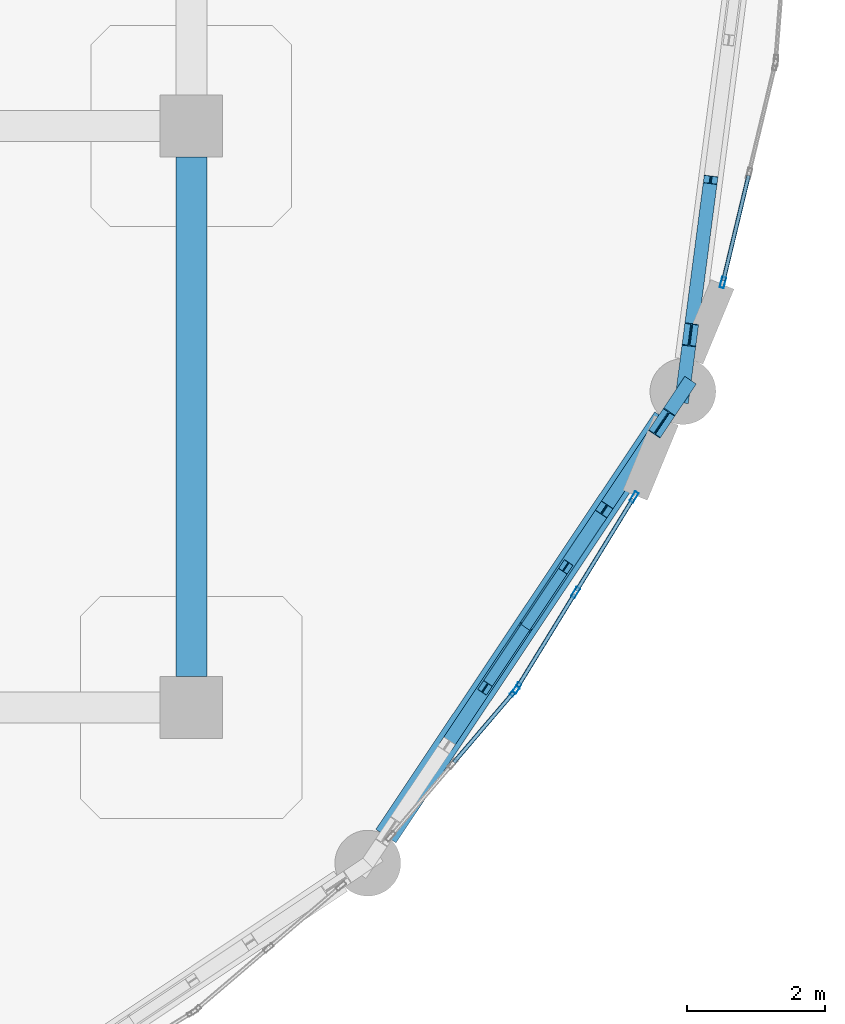
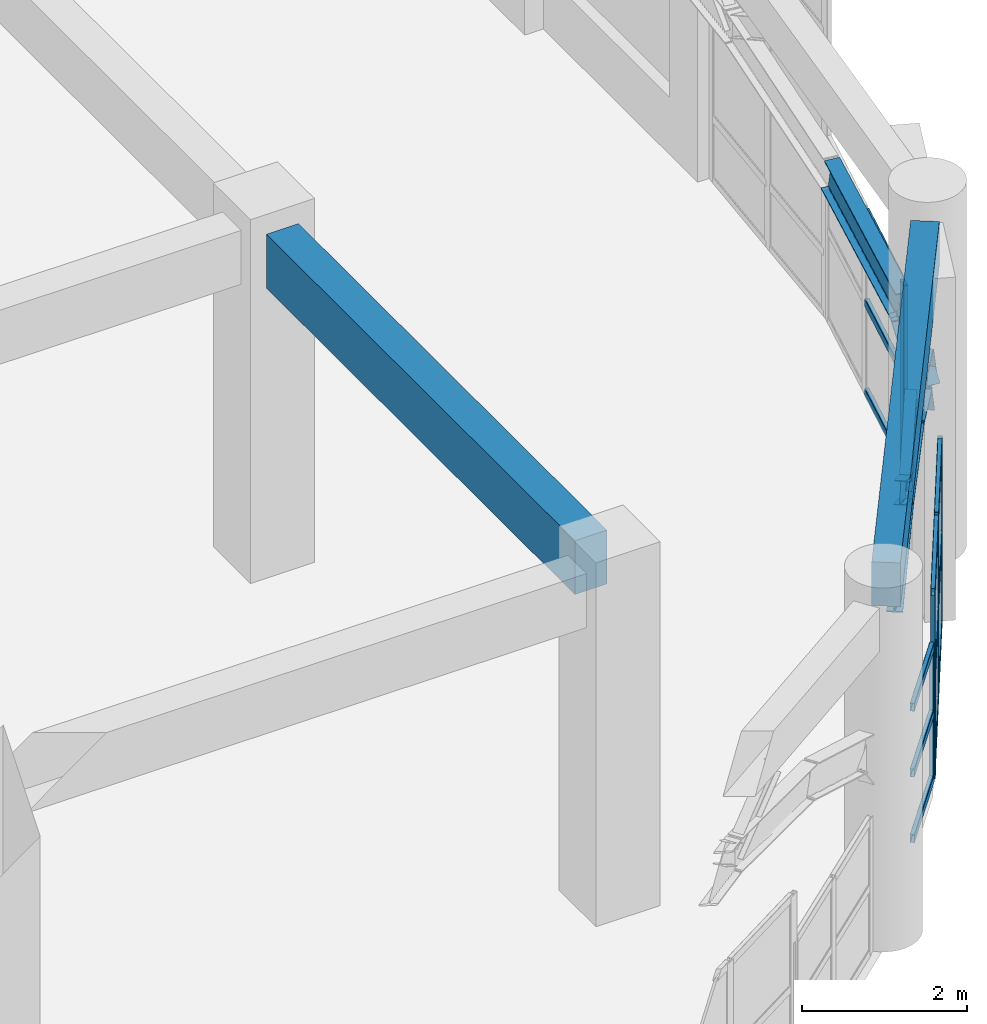
# One storey, part 57 of 114: 19 members, 8 beams, 3 elements without a shape of their own.
"""IFC4 building model written with IfcOpenShell, lengths in metres."""

from ifc_helpers import new_model, si_unit, derived_unit, direction, frame, origin, origin_2d, place, context, subcontext, project, spatial, rectangle, hollow_rectangle, i_section, extrude, material, layer, layer_set, material_profile, profile_set, type_object, element, aggregate, save


model = new_model("IFC4")

# Units and contexts
model_context = context("Model", 3, precision=1e-05, world=origin(), true_north=direction((0.0, 1.0)))
body_context = subcontext(model_context, "Body", "Model", "MODEL_VIEW")
ifc_project = project(units=[si_unit("LENGTHUNIT", "METRE"), si_unit("AREAUNIT", "SQUARE_METRE"), si_unit("VOLUMEUNIT", "CUBIC_METRE"), si_unit("PLANEANGLEUNIT", "RADIAN"), si_unit("MASSUNIT", "GRAM", prefix="KILO"), derived_unit("THERMALTRANSMITTANCEUNIT", [(si_unit("MASSUNIT", "GRAM", prefix="KILO"), 1), (si_unit("TIMEUNIT", "SECOND"), -3), (si_unit("THERMODYNAMICTEMPERATUREUNIT", "KELVIN"), -1)])], contexts=[model_context])

# Site, building, storey
site_placement = place(None, origin())
site = spatial("IfcSite", under=ifc_project, at=site_placement, CompositionType="ELEMENT")
building_placement = place(site_placement, origin())
building = spatial("IfcBuilding", under=site, at=building_placement, Name="Qinzheling Arcade Emporium", CompositionType="ELEMENT")
storey_placement = place(building_placement, frame((0.0, 0.0, 6.0)))
storey = spatial("IfcBuildingStorey", under=building, at=storey_placement, Name="L02", CompositionType="ELEMENT", Elevation=6.0)

# Beams
ifc_material_1 = material(Name="Weathering steel Q355NH", Category="steel")
ifc_material_profile_1 = material_profile(ifc_material_1, i_section(OverallWidth=0.199951171875, OverallDepth=0.5, WebThickness=0.010009765625, FlangeThickness=0.01611328125, FilletRadius=0.01806640625, at=origin_2d()), Name="HN 500x200x10x16", Category="steel")
ifc_profile_set_1 = profile_set([ifc_material_profile_1], Name="Weathering steel Q355NH")
beam_type_1 = type_object("IfcBeamType", Name="Arcade End Arch Rib HN500 Q355NH", PredefinedType="BEAM", material=ifc_profile_set_1)
beam_1_placement = place(storey_placement, frame((168.987060546875, 7.85400390625, 3.509033203125), z_axis=(0.552937624895, 0.82804218446, 0.092769196024), x_axis=(-0.831628465866, 0.555332418252, 0.0)))
element("IfcBeam", 1, at=beam_1_placement, inside=storey, type_object=beam_type_1, Name="Curved Arcade Entrance Arch ARC-L02-CV4-B03-C03", PredefinedType="BEAM", context=body_context, shape_type="SweptSolid", body=[
    extrude(i_section(OverallWidth=0.199951171875, OverallDepth=0.5, WebThickness=0.010009765625, FlangeThickness=0.01611328125, FilletRadius=0.01806640625, at=origin_2d()), origin(), (0.0, 0.0, 1.0), 2.05810546875),
])
beam_2_placement = place(storey_placement, frame((170.125, 9.55810546875, 3.699951171875), z_axis=(0.553209306391, 0.827855591521, -0.092814777429), x_axis=(-0.831444611991, 0.555607646808, 0.0)))
element("IfcBeam", 2, at=beam_2_placement, inside=storey, type_object=beam_type_1, Name="Curved Arcade Entrance Arch ARC-L02-CV4-B03-C04", PredefinedType="BEAM", context=body_context, shape_type="SweptSolid", body=[
    extrude(i_section(OverallWidth=0.199951171875, OverallDepth=0.5, WebThickness=0.010009765625, FlangeThickness=0.01611328125, FilletRadius=0.01806640625, at=origin_2d()), origin(), (0.0, 0.0, 1.0), 2.056884765625),
])
beam_3_placement = place(storey_placement, frame((171.262939453125, 11.260986328125, 3.509033203125), z_axis=(0.524691121578, 0.785498900651, -0.328162618244), x_axis=(-0.831549052106, 0.555451324547, 0.0)))
element("IfcBeam", 3, at=beam_3_placement, inside=storey, type_object=beam_type_1, Name="Curved Arcade Entrance Arch ARC-L02-CV4-B03-C05", PredefinedType="BEAM", context=body_context, shape_type="SweptSolid", body=[
    extrude(i_section(OverallWidth=0.199951171875, OverallDepth=0.5, WebThickness=0.010009765625, FlangeThickness=0.01611328125, FilletRadius=0.01806640625, at=origin_2d()), origin(), (0.0, 0.0, 1.0), 1.587646484375),
])
beam_4_placement = place(storey_placement, frame((172.095947265625, 12.508056640625, 2.988037109375), z_axis=(0.338911195409, 0.506874389931, -0.792601762841), x_axis=(-0.831296417556, 0.555829349854, 0.0)))
element("IfcBeam", 4, at=beam_4_placement, inside=storey, type_object=beam_type_1, Name="Curved Arcade Entrance Arch ARC-L02-CV4-B03-C06", PredefinedType="BEAM", context=body_context, shape_type="SweptSolid", body=[
    extrude(i_section(OverallWidth=0.199951171875, OverallDepth=0.5, WebThickness=0.010009765625, FlangeThickness=0.01611328125, FilletRadius=0.01806640625, at=origin_2d()), origin(), (0.0, 0.0, 1.0), 0.899658203125),
])
beam_5_placement = place(storey_placement, frame((172.40087890625, 12.964111328125, 2.27490234375), z_axis=(0.09816062103, 0.750850490701, 0.653137070678), x_axis=(-0.991562497728, 0.129629522484, 0.0)))
element("IfcBeam", 5, at=beam_5_placement, inside=storey, type_object=beam_type_1, Name="Curved Arcade Entrance Arch ARC-L02-CV4-B04-C01", PredefinedType="BEAM", context=body_context, shape_type="SweptSolid", body=[
    extrude(i_section(OverallWidth=0.199951171875, OverallDepth=0.5, WebThickness=0.010009765625, FlangeThickness=0.01611328125, FilletRadius=0.01806640625, at=origin_2d()), origin(), (0.0, 0.0, 1.0), 1.091796875),
])
beam_6_placement = place(storey_placement, frame((172.508056640625, 13.783935546875, 2.988037109375), z_axis=(0.126420052319, 0.966165249847, 0.22481699304), x_axis=(-0.991547878473, 0.129741299113, 0.0)))
element("IfcBeam", 6, at=beam_6_placement, inside=storey, type_object=beam_type_1, Name="Curved Arcade Entrance Arch ARC-L02-CV4-B04-C02", PredefinedType="BEAM", context=body_context, shape_type="SweptSolid", body=[
    extrude(i_section(OverallWidth=0.199951171875, OverallDepth=0.5, WebThickness=0.010009765625, FlangeThickness=0.01611328125, FilletRadius=0.01806640625, at=origin_2d()), origin(), (0.0, 0.0, 1.0), 2.3173828125),
])

# Members
ifc_material_profile_2 = material_profile(ifc_material_1, i_section(OverallWidth=0.14990234375, OverallDepth=0.300048828125, WebThickness=0.006591796875, FlangeThickness=0.009033203125, FilletRadius=0.012939453125, at=origin_2d()), Name="HN 300x150x6.5x9", Category="steel")
ifc_profile_set_2 = profile_set([ifc_material_profile_2], Name="Weathering steel Q355NH")
member_type_1 = type_object("IfcMemberType", Name="Arcade Spandrel Web Chord HN300 Q355NH", PredefinedType="CHORD", material=ifc_profile_set_2)
member_1_placement = place(storey_placement, frame((170.125, 9.55810546875, 3.7099609375), z_axis=(-0.473882025007, -0.710426151393, 0.520317700825), x_axis=(0.83190726587, -0.554914679021, 0.0)))
element("IfcMember", 7, at=member_1_placement, inside=storey, type_object=member_type_1, Name="Arcade Spandrel Web Chord ASW-L02-CV4-B03-W1", PredefinedType="CHORD", context=body_context, shape_type="SweptSolid", body=[
    extrude(i_section(OverallWidth=0.14990234375, OverallDepth=0.300048828125, WebThickness=0.006591796875, FlangeThickness=0.009033203125, FilletRadius=0.012939453125, at=origin_2d()), origin(), (0.0, 0.0, 1.0), 1.230224609375),
])
member_2_placement = place(storey_placement, frame((170.125, 9.55810546875, 3.7099609375), z_axis=(0.474216182254, 0.709934192444, 0.520684602123), x_axis=(-0.831548967976, 0.555451450497, 0.0)))
element("IfcMember", 8, at=member_2_placement, inside=storey, type_object=member_type_1, Name="Arcade Spandrel Web Chord ASW-L02-CV4-B03-W2", PredefinedType="CHORD", context=body_context, shape_type="SweptSolid", body=[
    extrude(i_section(OverallWidth=0.14990234375, OverallDepth=0.300048828125, WebThickness=0.006591796875, FlangeThickness=0.009033203125, FilletRadius=0.012939453125, at=origin_2d()), origin(), (0.0, 0.0, 1.0), 1.2294921875),
])

# Curtain wall, member
ifc_material_2 = material(Name="Anodised aluminium and solar-control double glazing", Category="aluminium")
ifc_layer = layer(ifc_material_2, 0.159912109375, Name="Anodised aluminium and solar-control double glazing", Category="aluminium")
ifc_layer_set = layer_set([ifc_layer], Name="Anodised aluminium and solar-control double glazing")
curtain_wall_type = type_object("IfcCurtainWallType", Name="Curved Ribbon Sales Curtain Wall", PredefinedType="NOTDEFINED", material=ifc_layer_set)
curtain_wall_1_placement = place(storey_placement, origin())
curtain_wall_1 = element("IfcCurtainWall", 9, at=curtain_wall_1_placement, inside=storey, type_object=curtain_wall_type, Name="Curtain Wall CW-L02-050", PredefinedType="NOTDEFINED")
ifc_material_3 = material(Name="Anodised aluminium 6063-T6", Category="aluminium")
ifc_material_profile_3 = material_profile(ifc_material_3, hollow_rectangle(XDim=0.06005859375, YDim=0.159912109375, WallThickness=0.00390625, InnerFilletRadius=0.00390625, OuterFilletRadius=0.008056640625, at=origin_2d()), Name="RHS 160x60x4", Category="aluminium")
ifc_profile_set_3 = profile_set([ifc_material_profile_3], Name="Anodised aluminium 6063-T6")
member_type_2 = type_object("IfcMemberType", Name="Curtain Wall Mullion RHS160x60", PredefinedType="MULLION", material=ifc_profile_set_3)
member_3_placement = place(storey_placement, frame((172.97900390625, 14.540283203125, 0.0), z_axis=(0.0, 0.0, 1.0), x_axis=(0.972384547081, -0.233384430923, 0.0)))
member_3 = element("IfcMember", 10, at=member_3_placement, type_object=member_type_2, Name="CW02 mullion 3", PredefinedType="MULLION", context=body_context, shape_type="SweptSolid", body=[
    extrude(hollow_rectangle(XDim=0.06005859375, YDim=0.159912109375, WallThickness=0.00390625, InnerFilletRadius=0.00390625, OuterFilletRadius=0.008056640625, at=origin_2d()), origin(), (0.0, 0.0, 1.0), 2.722900390625),
])

# Curtain wall, members
curtain_wall_2_placement = place(storey_placement, origin())
curtain_wall_2 = element("IfcCurtainWall", 11, at=curtain_wall_2_placement, inside=storey, type_object=curtain_wall_type, Name="Curtain Wall CW-L02-051", PredefinedType="NOTDEFINED")
member_4_placement = place(storey_placement, frame((171.6953125, 11.4404296875, 0.0), z_axis=(0.0, 0.0, 1.0), x_axis=(0.852553266126, -0.522640343274, 0.0)))
member_4 = element("IfcMember", 12, at=member_4_placement, type_object=member_type_2, Name="CW02 mullion 1", PredefinedType="MULLION", context=body_context, shape_type="SweptSolid", body=[
    extrude(hollow_rectangle(XDim=0.06005859375, YDim=0.159912109375, WallThickness=0.00390625, InnerFilletRadius=0.00390625, OuterFilletRadius=0.008056640625, at=origin_2d()), origin(), (0.0, 0.0, 1.0), 2.722900390625),
])
member_5_placement = place(storey_placement, frame((170.85009765625, 10.0615234375, 0.0), z_axis=(0.0, 0.0, 1.0), x_axis=(0.852553266126, -0.522640343274, 0.0)))
member_5 = element("IfcMember", 13, at=member_5_placement, type_object=member_type_2, Name="CW02 mullion 2", PredefinedType="MULLION", context=body_context, shape_type="SweptSolid", body=[
    extrude(hollow_rectangle(XDim=0.06005859375, YDim=0.159912109375, WallThickness=0.00390625, InnerFilletRadius=0.00390625, OuterFilletRadius=0.008056640625, at=origin_2d()), origin(), (0.0, 0.0, 1.0), 2.722900390625),
])
member_6_placement = place(storey_placement, frame((170.004638671875, 8.6826171875, 0.0), z_axis=(0.0, 0.0, 1.0), x_axis=(0.852553266126, -0.522640343274, 0.0)))
member_6 = element("IfcMember", 14, at=member_6_placement, type_object=member_type_2, Name="CW02 mullion 3", PredefinedType="MULLION", context=body_context, shape_type="SweptSolid", body=[
    extrude(hollow_rectangle(XDim=0.06005859375, YDim=0.159912109375, WallThickness=0.00390625, InnerFilletRadius=0.00390625, OuterFilletRadius=0.008056640625, at=origin_2d()), origin(), (0.0, 0.0, 1.0), 2.722900390625),
])

# Curtain wall, member
curtain_wall_3_placement = place(storey_placement, origin())
curtain_wall_3 = element("IfcCurtainWall", 15, at=curtain_wall_3_placement, inside=storey, type_object=curtain_wall_type, Name="Curtain Wall CW-L02-052", PredefinedType="NOTDEFINED")
member_7_placement = place(storey_placement, frame((169.969482421875, 8.63427734375, 0.0), z_axis=(0.0, 0.0, 1.0), x_axis=(0.76045764417, -0.649387535624, 0.0)))
member_7 = element("IfcMember", 16, at=member_7_placement, type_object=member_type_2, Name="CW02 mullion 1", PredefinedType="MULLION", context=body_context, shape_type="SweptSolid", body=[
    extrude(hollow_rectangle(XDim=0.06005859375, YDim=0.159912109375, WallThickness=0.00390625, InnerFilletRadius=0.00390625, OuterFilletRadius=0.008056640625, at=origin_2d()), origin(), (0.0, 0.0, 1.0), 2.010009765625),
])

# Member
ifc_material_profile_4 = material_profile(ifc_material_3, hollow_rectangle(XDim=0.06005859375, YDim=0.1201171875, WallThickness=0.00390625, InnerFilletRadius=0.00390625, OuterFilletRadius=0.008056640625, at=origin_2d()), Name="RHS 120x60x4", Category="aluminium")
ifc_profile_set_4 = profile_set([ifc_material_profile_4], Name="Anodised aluminium 6063-T6")
member_type_3 = type_object("IfcMemberType", Name="Curtain Wall Transom RHS120x60", PredefinedType="USERDEFINED", material=ifc_profile_set_4)
member_8_placement = place(storey_placement, frame((173.349609375, 16.083740234375, 0.030029296875), z_axis=(-0.233414454321, -0.972377340601, 0.0), x_axis=(0.972377340601, -0.233414454321, 0.0)))
member_8 = element("IfcMember", 17, at=member_8_placement, type_object=member_type_3, Name="CW02 transom 2.1", ObjectType="TRANSOM", PredefinedType="USERDEFINED", context=body_context, shape_type="SweptSolid", body=[
    extrude(hollow_rectangle(XDim=0.06005859375, YDim=0.1201171875, WallThickness=0.00390625, InnerFilletRadius=0.00390625, OuterFilletRadius=0.008056640625, at=origin_2d()), origin(), (0.0, 0.0, 1.0), 1.557373046875),
])

member_9_placement = place(storey_placement, frame((173.349609375, 16.083740234375, 1.362060546875), z_axis=(-0.233414454321, -0.972377340601, 0.0), x_axis=(0.972377340601, -0.233414454321, 0.0)))
member_9 = element("IfcMember", 18, at=member_9_placement, type_object=member_type_3, Name="CW02 transom 2.2", ObjectType="TRANSOM", PredefinedType="USERDEFINED", context=body_context, shape_type="SweptSolid", body=[
    extrude(hollow_rectangle(XDim=0.06005859375, YDim=0.1201171875, WallThickness=0.00390625, InnerFilletRadius=0.00390625, OuterFilletRadius=0.008056640625, at=origin_2d()), origin(), (0.0, 0.0, 1.0), 1.557373046875),
])

member_10_placement = place(storey_placement, frame((173.349609375, 16.083740234375, 2.693115234375), z_axis=(-0.233414454321, -0.972377340601, 0.0), x_axis=(0.972377340601, -0.233414454321, 0.0)))
member_10 = element("IfcMember", 19, at=member_10_placement, type_object=member_type_3, Name="CW02 transom 2.3", ObjectType="TRANSOM", PredefinedType="USERDEFINED", context=body_context, shape_type="SweptSolid", body=[
    extrude(hollow_rectangle(XDim=0.06005859375, YDim=0.1201171875, WallThickness=0.00390625, InnerFilletRadius=0.00390625, OuterFilletRadius=0.008056640625, at=origin_2d()), origin(), (0.0, 0.0, 1.0), 1.557373046875),
])

aggregate(curtain_wall_1, [member_3, member_8, member_9, member_10])

member_11_placement = place(storey_placement, frame((171.6796875, 11.414794921875, 0.030029296875), z_axis=(-0.522679691664, -0.852529143151, 0.0), x_axis=(0.852529143151, -0.522679691664, 0.0)))
member_11 = element("IfcMember", 20, at=member_11_placement, type_object=member_type_3, Name="CW02 transom 1.1", ObjectType="TRANSOM", PredefinedType="USERDEFINED", context=body_context, shape_type="SweptSolid", body=[
    extrude(hollow_rectangle(XDim=0.06005859375, YDim=0.1201171875, WallThickness=0.00390625, InnerFilletRadius=0.00390625, OuterFilletRadius=0.008056640625, at=origin_2d()), origin(), (0.0, 0.0, 1.0), 1.557373046875),
])

member_12_placement = place(storey_placement, frame((171.6796875, 11.414794921875, 1.362060546875), z_axis=(-0.522679691664, -0.852529143151, 0.0), x_axis=(0.852529143151, -0.522679691664, 0.0)))
member_12 = element("IfcMember", 21, at=member_12_placement, type_object=member_type_3, Name="CW02 transom 1.2", ObjectType="TRANSOM", PredefinedType="USERDEFINED", context=body_context, shape_type="SweptSolid", body=[
    extrude(hollow_rectangle(XDim=0.06005859375, YDim=0.1201171875, WallThickness=0.00390625, InnerFilletRadius=0.00390625, OuterFilletRadius=0.008056640625, at=origin_2d()), origin(), (0.0, 0.0, 1.0), 1.557373046875),
])

member_13_placement = place(storey_placement, frame((171.6796875, 11.414794921875, 2.693115234375), z_axis=(-0.522679691664, -0.852529143151, 0.0), x_axis=(0.852529143151, -0.522679691664, 0.0)))
member_13 = element("IfcMember", 22, at=member_13_placement, type_object=member_type_3, Name="CW02 transom 1.3", ObjectType="TRANSOM", PredefinedType="USERDEFINED", context=body_context, shape_type="SweptSolid", body=[
    extrude(hollow_rectangle(XDim=0.06005859375, YDim=0.1201171875, WallThickness=0.00390625, InnerFilletRadius=0.00390625, OuterFilletRadius=0.008056640625, at=origin_2d()), origin(), (0.0, 0.0, 1.0), 1.557373046875),
])

member_14_placement = place(storey_placement, frame((170.834228515625, 10.035888671875, 0.030029296875), z_axis=(-0.522679691664, -0.852529143151, 0.0), x_axis=(0.852529143151, -0.522679691664, 0.0)))
member_14 = element("IfcMember", 23, at=member_14_placement, type_object=member_type_3, Name="CW02 transom 2.1", ObjectType="TRANSOM", PredefinedType="USERDEFINED", context=body_context, shape_type="SweptSolid", body=[
    extrude(hollow_rectangle(XDim=0.06005859375, YDim=0.1201171875, WallThickness=0.00390625, InnerFilletRadius=0.00390625, OuterFilletRadius=0.008056640625, at=origin_2d()), origin(), (0.0, 0.0, 1.0), 1.557373046875),
])

member_15_placement = place(storey_placement, frame((170.834228515625, 10.035888671875, 1.362060546875), z_axis=(-0.522679691664, -0.852529143151, 0.0), x_axis=(0.852529143151, -0.522679691664, 0.0)))
member_15 = element("IfcMember", 24, at=member_15_placement, type_object=member_type_3, Name="CW02 transom 2.2", ObjectType="TRANSOM", PredefinedType="USERDEFINED", context=body_context, shape_type="SweptSolid", body=[
    extrude(hollow_rectangle(XDim=0.06005859375, YDim=0.1201171875, WallThickness=0.00390625, InnerFilletRadius=0.00390625, OuterFilletRadius=0.008056640625, at=origin_2d()), origin(), (0.0, 0.0, 1.0), 1.557373046875),
])

member_16_placement = place(storey_placement, frame((170.834228515625, 10.035888671875, 2.693115234375), z_axis=(-0.522679691664, -0.852529143151, 0.0), x_axis=(0.852529143151, -0.522679691664, 0.0)))
member_16 = element("IfcMember", 25, at=member_16_placement, type_object=member_type_3, Name="CW02 transom 2.3", ObjectType="TRANSOM", PredefinedType="USERDEFINED", context=body_context, shape_type="SweptSolid", body=[
    extrude(hollow_rectangle(XDim=0.06005859375, YDim=0.1201171875, WallThickness=0.00390625, InnerFilletRadius=0.00390625, OuterFilletRadius=0.008056640625, at=origin_2d()), origin(), (0.0, 0.0, 1.0), 1.557373046875),
])

aggregate(curtain_wall_2, [member_4, member_5, member_6, member_11, member_12, member_13, member_14, member_15, member_16])

member_17_placement = place(storey_placement, frame((169.949951171875, 8.611328125, 0.030029296875), z_axis=(-0.649387735438, -0.76045747354, 0.0), x_axis=(0.76045747354, -0.649387735438, 0.0)))
member_17 = element("IfcMember", 26, at=member_17_placement, type_object=member_type_3, Name="CW02 transom 1.1", ObjectType="TRANSOM", PredefinedType="USERDEFINED", context=body_context, shape_type="SweptSolid", body=[
    extrude(hollow_rectangle(XDim=0.06005859375, YDim=0.1201171875, WallThickness=0.00390625, InnerFilletRadius=0.00390625, OuterFilletRadius=0.008056640625, at=origin_2d()), origin(), (0.0, 0.0, 1.0), 1.31884765625),
])

member_18_placement = place(storey_placement, frame((169.949951171875, 8.611328125, 1.0048828125), z_axis=(-0.649387735438, -0.76045747354, 0.0), x_axis=(0.76045747354, -0.649387735438, 0.0)))
member_18 = element("IfcMember", 27, at=member_18_placement, type_object=member_type_3, Name="CW02 transom 1.2", ObjectType="TRANSOM", PredefinedType="USERDEFINED", context=body_context, shape_type="SweptSolid", body=[
    extrude(hollow_rectangle(XDim=0.06005859375, YDim=0.1201171875, WallThickness=0.00390625, InnerFilletRadius=0.00390625, OuterFilletRadius=0.008056640625, at=origin_2d()), origin(), (0.0, 0.0, 1.0), 1.31884765625),
])

member_19_placement = place(storey_placement, frame((169.949951171875, 8.611328125, 1.97998046875), z_axis=(-0.649387735438, -0.76045747354, 0.0), x_axis=(0.76045747354, -0.649387735438, 0.0)))
member_19 = element("IfcMember", 28, at=member_19_placement, type_object=member_type_3, Name="CW02 transom 1.3", ObjectType="TRANSOM", PredefinedType="USERDEFINED", context=body_context, shape_type="SweptSolid", body=[
    extrude(hollow_rectangle(XDim=0.06005859375, YDim=0.1201171875, WallThickness=0.00390625, InnerFilletRadius=0.00390625, OuterFilletRadius=0.008056640625, at=origin_2d()), origin(), (0.0, 0.0, 1.0), 1.31884765625),
])

aggregate(curtain_wall_3, [member_7, member_17, member_18, member_19])

# Beams
ifc_material_4 = material(Name="Concrete C40", Category="concrete")
ifc_material_profile_5 = material_profile(ifc_material_4, rectangle(XDim=0.449951171875, YDim=0.800048828125, at=origin_2d()), Name="RC 450x800", Category="concrete")
ifc_profile_set_5 = profile_set([ifc_material_profile_5], Name="Concrete C40")
beam_type_2 = type_object("IfcBeamType", Name="RC Primary Frame Beam 450x800 C40", PredefinedType="BEAM", material=ifc_profile_set_5)
beam_7_placement = place(storey_placement, frame((165.300048828125, 8.85009765625, 4.705078125), z_axis=(0.0, 1.0, 0.0), x_axis=(-1.0, 0.0, 0.0)))
element("IfcBeam", 29, at=beam_7_placement, inside=storey, type_object=beam_type_2, Name="Beam BM-L02-Y-20-B", PredefinedType="BEAM", context=body_context, shape_type="SweptSolid", body=[
    extrude(rectangle(XDim=0.449951171875, YDim=0.800048828125, at=origin_2d()), origin(), (0.0, 0.0, 1.0), 7.5),
])
ifc_material_profile_6 = material_profile(ifc_material_4, rectangle(XDim=0.35009765625, YDim=0.64990234375, at=origin_2d()), Name="RC 350x650", Category="concrete")
ifc_profile_set_6 = profile_set([ifc_material_profile_6], Name="Concrete C40")
beam_type_3 = type_object("IfcBeamType", Name="RC Spandrel Edge Beam 350x650 C40", PredefinedType="SPANDREL", material=ifc_profile_set_6)
beam_8_placement = place(storey_placement, frame((168.110107421875, 6.5419921875, 4.794921875), z_axis=(0.555569839937, 0.831469874952, 0.0), x_axis=(-0.831469874952, 0.555569839937, 0.0)))
element("IfcBeam", 30, at=beam_8_placement, inside=storey, type_object=beam_type_3, Name="Curved Arcade Spandrel BM-L02-CV4-B03", PredefinedType="SPANDREL", context=body_context, shape_type="SweptSolid", body=[
    extrude(rectangle(XDim=0.35009765625, YDim=0.64990234375, at=origin_2d()), origin(), (0.0, 0.0, 1.0), 7.25341796875),
])

save(model, "model.ifc")
